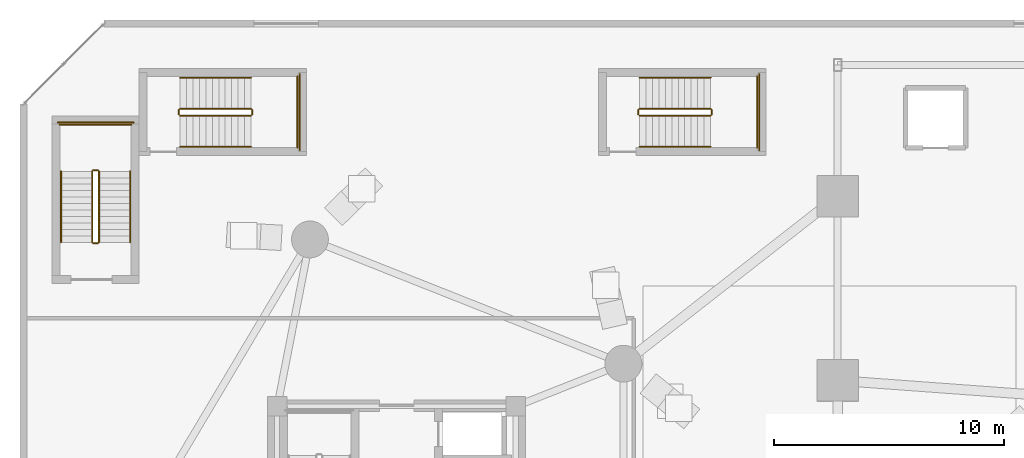
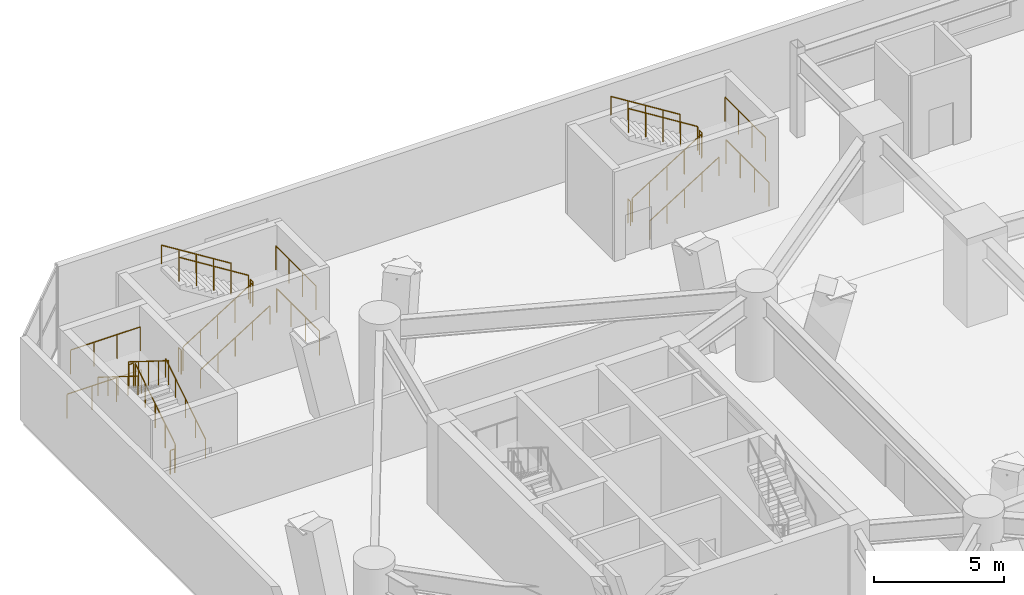
# One storey, part 19 of 20: 24 railings.
"""IFC4 building model written with IfcOpenShell, lengths in metres."""

from ifc_helpers import new_model, si_unit, direction, frame, origin, origin_2d, place, context, subcontext, project, spatial, circle, extrude, material, type_object, element, save


model = new_model("IFC4")

# Units and contexts
model_context = context("Model", 3, precision=1e-05, world=origin(), true_north=direction((0.0, 1.0)))
body_context = subcontext(model_context, "Body", "Model", "MODEL_VIEW")
ifc_project = project(units=[si_unit("LENGTHUNIT", "METRE"), si_unit("AREAUNIT", "SQUARE_METRE"), si_unit("VOLUMEUNIT", "CUBIC_METRE"), si_unit("PLANEANGLEUNIT", "RADIAN"), si_unit("MASSUNIT", "GRAM", prefix="KILO")], contexts=[model_context])

# Site, building, storey
site_placement = place(None, origin())
site = spatial("IfcSite", under=ifc_project, at=site_placement, CompositionType="ELEMENT")
building_placement = place(site_placement, origin())
building = spatial("IfcBuilding", under=site, at=building_placement, Name="Cununo Teusaquillo Station Towers", CompositionType="ELEMENT")
storey_placement = place(building_placement, frame((0.0, 0.0, 9.0)))
storey = spatial("IfcBuildingStorey", under=building, at=storey_placement, Name="L02", CompositionType="ELEMENT", Elevation=9.0)

# Railings
ifc_material_1 = material(Name="Steel EN 10025-2 S355J2", Category="steel")
railing_type_1 = type_object("IfcRailingType", Name="RL-INT-GUARD", PredefinedType="GUARDRAIL", material=ifc_material_1)
railing_1_placement = place(storey_placement, frame((27.050048828125, 44.0, 0.175048828125)))
element("IfcRailing", 1, at=railing_1_placement, inside=storey, type_object=railing_type_1, Name="L02 ST-POD-N stair guard 1", PredefinedType="GUARDRAIL", context=body_context, shape_type="SweptSolid", body=[
    extrude(circle(Radius=0.02392578125, at=origin_2d()), frame((0.0, 0.0, 1.1259765625), z_axis=(0.847979421464, 0.0, 0.530029150871), x_axis=(0.0, 1.0, 0.0)), (0.0, 0.0, 1.0), 3.632080078125),
    extrude(circle(Radius=0.02099609375, at=origin_2d()), origin(), (0.0, 0.0, 1.0), 1.101806640625),
    extrude(circle(Radius=0.02099609375, at=origin_2d()), frame((0.77001953125, 0.0, 0.481201171875)), (0.0, 0.0, 1.0), 1.101806640625),
    extrude(circle(Radius=0.02099609375, at=origin_2d()), frame((1.5400390625, 0.0, 0.96240234375)), (0.0, 0.0, 1.0), 1.101806640625),
    extrude(circle(Radius=0.02099609375, at=origin_2d()), frame((2.309814453125, 0.0, 1.44384765625)), (0.0, 0.0, 1.0), 1.101806640625),
    extrude(circle(Radius=0.02099609375, at=origin_2d()), frame((3.079833984375, 0.0, 1.925048828125)), (0.0, 0.0, 1.0), 1.101806640625),
])
railing_2_placement = place(storey_placement, frame((30.179931640625, 44.050048828125, 2.10009765625)))
element("IfcRailing", 2, at=railing_2_placement, inside=storey, type_object=railing_type_1, Name="L02 ST-POD-N stair guard 2", PredefinedType="GUARDRAIL", context=body_context, shape_type="SweptSolid", body=[
    extrude(circle(Radius=0.02392578125, at=origin_2d()), frame((0.0, 0.0, 1.1259765625), z_axis=(0.0, 1.0, 0.0), x_axis=(-1.0, 0.0, 0.0)), (0.0, 0.0, 1.0), 0.199951171875),
    extrude(circle(Radius=0.02099609375, at=origin_2d()), origin(), (0.0, 0.0, 1.0), 1.101806640625),
    extrude(circle(Radius=0.02099609375, at=origin_2d()), frame((0.0, 0.199951171875, 0.0)), (0.0, 0.0, 1.0), 1.101806640625),
])
railing_3_placement = place(storey_placement, frame((32.14990234375, 42.60009765625, 2.10009765625)))
element("IfcRailing", 3, at=railing_3_placement, inside=storey, type_object=railing_type_1, Name="L02 ST-POD-N stair guard 3", PredefinedType="GUARDRAIL", context=body_context, shape_type="SweptSolid", body=[
    extrude(circle(Radius=0.02392578125, at=origin_2d()), frame((0.0, 0.0, 1.1259765625), z_axis=(0.0, 1.0, 0.0), x_axis=(-1.0, 0.0, 0.0)), (0.0, 0.0, 1.0), 3.099853515625),
    extrude(circle(Radius=0.02099609375, at=origin_2d()), origin(), (0.0, 0.0, 1.0), 1.101806640625),
    extrude(circle(Radius=0.02099609375, at=origin_2d()), frame((0.0, 1.033203125, 0.0)), (0.0, 0.0, 1.0), 1.101806640625),
    extrude(circle(Radius=0.02099609375, at=origin_2d()), frame((0.0, 2.066650390625, 0.0)), (0.0, 0.0, 1.0), 1.101806640625),
    extrude(circle(Radius=0.02099609375, at=origin_2d()), frame((0.0, 3.099853515625, 0.0)), (0.0, 0.0, 1.0), 1.101806640625),
])
railing_4_placement = place(storey_placement, frame((30.1298828125, 44.300048828125, 2.27490234375)))
element("IfcRailing", 4, at=railing_4_placement, inside=storey, type_object=railing_type_1, Name="L02 ST-POD-N stair guard 4", PredefinedType="GUARDRAIL", context=body_context, shape_type="SweptSolid", body=[
    extrude(circle(Radius=0.02392578125, at=origin_2d()), frame((0.0, 0.0, 1.1259765625), z_axis=(-0.847979421464, 0.0, 0.530029150871), x_axis=(0.0, -1.0, 0.0)), (0.0, 0.0, 1.0), 3.632080078125),
    extrude(circle(Radius=0.02099609375, at=origin_2d()), origin(), (0.0, 0.0, 1.0), 1.101806640625),
    extrude(circle(Radius=0.02099609375, at=origin_2d()), frame((-0.77001953125, 0.0, 0.481201171875)), (0.0, 0.0, 1.0), 1.101806640625),
    extrude(circle(Radius=0.02099609375, at=origin_2d()), frame((-1.5400390625, 0.0, 0.96240234375)), (0.0, 0.0, 1.0), 1.101806640625),
    extrude(circle(Radius=0.02099609375, at=origin_2d()), frame((-2.309814453125, 0.0, 1.44384765625)), (0.0, 0.0, 1.0), 1.101806640625),
    extrude(circle(Radius=0.02099609375, at=origin_2d()), frame((-3.079833984375, 0.0, 1.925048828125)), (0.0, 0.0, 1.0), 1.101806640625),
])
railing_5_placement = place(storey_placement, frame((27.0, 44.050048828125, 0.0)))
element("IfcRailing", 5, at=railing_5_placement, inside=storey, type_object=railing_type_1, Name="L02 ST-POD-N stair guard 5", PredefinedType="GUARDRAIL", context=body_context, shape_type="SweptSolid", body=[
    extrude(circle(Radius=0.02392578125, at=origin_2d()), frame((0.0, 0.0, 1.1259765625), z_axis=(0.0, 1.0, 0.0), x_axis=(-1.0, 0.0, 0.0)), (0.0, 0.0, 1.0), 0.199951171875),
    extrude(circle(Radius=0.02099609375, at=origin_2d()), origin(), (0.0, 0.0, 1.0), 1.101806640625),
    extrude(circle(Radius=0.02099609375, at=origin_2d()), frame((0.0, 0.199951171875, 0.0)), (0.0, 0.0, 1.0), 1.101806640625),
])
railing_6_placement = place(storey_placement, frame((32.25, 42.5, 0.0)))
element("IfcRailing", 6, at=railing_6_placement, inside=storey, type_object=railing_type_1, Name="L02 ST-POD-N stair guard 6", PredefinedType="GUARDRAIL", context=body_context, shape_type="SweptSolid", body=[
    extrude(circle(Radius=0.02392578125, at=origin_2d()), frame((0.0, 0.0, 1.1259765625), z_axis=(0.0, 1.0, 0.0), x_axis=(-1.0, 0.0, 0.0)), (0.0, 0.0, 1.0), 3.300048828125),
    extrude(circle(Radius=0.02099609375, at=origin_2d()), origin(), (0.0, 0.0, 1.0), 1.101806640625),
    extrude(circle(Radius=0.02099609375, at=origin_2d()), frame((0.0, 1.10009765625, 0.0)), (0.0, 0.0, 1.0), 1.101806640625),
    extrude(circle(Radius=0.02099609375, at=origin_2d()), frame((0.0, 2.199951171875, 0.0)), (0.0, 0.0, 1.0), 1.101806640625),
    extrude(circle(Radius=0.02099609375, at=origin_2d()), frame((0.0, 3.300048828125, 0.0)), (0.0, 0.0, 1.0), 1.101806640625),
])
railing_7_placement = place(storey_placement, frame((3.580078125, 38.5, 0.175048828125)))
element("IfcRailing", 7, at=railing_7_placement, inside=storey, type_object=railing_type_1, Name="L02 ST-POD-W stair guard 1", PredefinedType="GUARDRAIL", context=body_context, shape_type="SweptSolid", body=[
    extrude(circle(Radius=0.02392578125, at=origin_2d()), frame((0.0, 0.0, 1.1259765625), z_axis=(0.0, 0.847998304005, 0.529998940003), x_axis=(-1.0, 0.0, 0.0)), (0.0, 0.0, 1.0), 3.632080078125),
    extrude(circle(Radius=0.02099609375, at=origin_2d()), origin(), (0.0, 0.0, 1.0), 1.101806640625),
    extrude(circle(Radius=0.02099609375, at=origin_2d()), frame((0.0, 0.77001953125, 0.481201171875)), (0.0, 0.0, 1.0), 1.101806640625),
    extrude(circle(Radius=0.02099609375, at=origin_2d()), frame((0.0, 1.5400390625, 0.96240234375)), (0.0, 0.0, 1.0), 1.101806640625),
    extrude(circle(Radius=0.02099609375, at=origin_2d()), frame((0.0, 2.31005859375, 1.44384765625)), (0.0, 0.0, 1.0), 1.101806640625),
    extrude(circle(Radius=0.02099609375, at=origin_2d()), frame((0.0, 3.080078125, 1.925048828125)), (0.0, 0.0, 1.0), 1.101806640625),
])
railing_8_placement = place(storey_placement, frame((3.530029296875, 41.6298828125, 2.10009765625)))
element("IfcRailing", 8, at=railing_8_placement, inside=storey, type_object=railing_type_1, Name="L02 ST-POD-W stair guard 2", PredefinedType="GUARDRAIL", context=body_context, shape_type="SweptSolid", body=[
    extrude(circle(Radius=0.02392578125, at=origin_2d()), frame((0.0, 0.0, 1.1259765625), z_axis=(-1.0, 0.0, 0.0), x_axis=(0.0, -1.0, 0.0)), (0.0, 0.0, 1.0), 0.199951171875),
    extrude(circle(Radius=0.02099609375, at=origin_2d()), origin(), (0.0, 0.0, 1.0), 1.101806640625),
    extrude(circle(Radius=0.02099609375, at=origin_2d()), frame((-0.199951171875, 0.0, 0.0)), (0.0, 0.0, 1.0), 1.101806640625),
])
railing_9_placement = place(storey_placement, frame((4.97998046875, 43.60009765625, 2.10009765625)))
element("IfcRailing", 9, at=railing_9_placement, inside=storey, type_object=railing_type_1, Name="L02 ST-POD-W stair guard 3", PredefinedType="GUARDRAIL", context=body_context, shape_type="SweptSolid", body=[
    extrude(circle(Radius=0.02392578125, at=origin_2d()), frame((0.0, 0.0, 1.1259765625), z_axis=(-1.0, 0.0, 0.0), x_axis=(0.0, -1.0, 0.0)), (0.0, 0.0, 1.0), 3.10009765625),
    extrude(circle(Radius=0.02099609375, at=origin_2d()), origin(), (0.0, 0.0, 1.0), 1.101806640625),
    extrude(circle(Radius=0.02099609375, at=origin_2d()), frame((-1.033447265625, 0.0, 0.0)), (0.0, 0.0, 1.0), 1.101806640625),
    extrude(circle(Radius=0.02099609375, at=origin_2d()), frame((-2.066650390625, 0.0, 0.0)), (0.0, 0.0, 1.0), 1.101806640625),
    extrude(circle(Radius=0.02099609375, at=origin_2d()), frame((-3.10009765625, 0.0, 0.0)), (0.0, 0.0, 1.0), 1.101806640625),
])
railing_10_placement = place(storey_placement, frame((3.280029296875, 41.580078125, 2.27490234375)))
element("IfcRailing", 10, at=railing_10_placement, inside=storey, type_object=railing_type_1, Name="L02 ST-POD-W stair guard 4", PredefinedType="GUARDRAIL", context=body_context, shape_type="SweptSolid", body=[
    extrude(circle(Radius=0.02392578125, at=origin_2d()), frame((0.0, 0.0, 1.1259765625), z_axis=(0.0, -0.847998304005, 0.529998940003), x_axis=(1.0, 0.0, 0.0)), (0.0, 0.0, 1.0), 3.632080078125),
    extrude(circle(Radius=0.02099609375, at=origin_2d()), origin(), (0.0, 0.0, 1.0), 1.101806640625),
    extrude(circle(Radius=0.02099609375, at=origin_2d()), frame((0.0, -0.77001953125, 0.481201171875)), (0.0, 0.0, 1.0), 1.101806640625),
    extrude(circle(Radius=0.02099609375, at=origin_2d()), frame((0.0, -1.5400390625, 0.96240234375)), (0.0, 0.0, 1.0), 1.101806640625),
    extrude(circle(Radius=0.02099609375, at=origin_2d()), frame((0.0, -2.31005859375, 1.44384765625)), (0.0, 0.0, 1.0), 1.101806640625),
    extrude(circle(Radius=0.02099609375, at=origin_2d()), frame((0.0, -3.080078125, 1.925048828125)), (0.0, 0.0, 1.0), 1.101806640625),
])
railing_11_placement = place(storey_placement, frame((3.530029296875, 38.449951171875, 0.0)))
element("IfcRailing", 11, at=railing_11_placement, inside=storey, type_object=railing_type_1, Name="L02 ST-POD-W stair guard 5", PredefinedType="GUARDRAIL", context=body_context, shape_type="SweptSolid", body=[
    extrude(circle(Radius=0.02392578125, at=origin_2d()), frame((0.0, 0.0, 1.1259765625), z_axis=(-1.0, 0.0, 0.0), x_axis=(0.0, -1.0, 0.0)), (0.0, 0.0, 1.0), 0.199951171875),
    extrude(circle(Radius=0.02099609375, at=origin_2d()), origin(), (0.0, 0.0, 1.0), 1.101806640625),
    extrude(circle(Radius=0.02099609375, at=origin_2d()), frame((-0.199951171875, 0.0, 0.0)), (0.0, 0.0, 1.0), 1.101806640625),
])
railing_12_placement = place(storey_placement, frame((5.080078125, 43.699951171875, 0.0)))
element("IfcRailing", 12, at=railing_12_placement, inside=storey, type_object=railing_type_1, Name="L02 ST-POD-W stair guard 6", PredefinedType="GUARDRAIL", context=body_context, shape_type="SweptSolid", body=[
    extrude(circle(Radius=0.02392578125, at=origin_2d()), frame((0.0, 0.0, 1.1259765625), z_axis=(-1.0, 0.0, 0.0), x_axis=(0.0, -1.0, 0.0)), (0.0, 0.0, 1.0), 3.300048828125),
    extrude(circle(Radius=0.02099609375, at=origin_2d()), origin(), (0.0, 0.0, 1.0), 1.101806640625),
    extrude(circle(Radius=0.02099609375, at=origin_2d()), frame((-1.10009765625, 0.0, 0.0)), (0.0, 0.0, 1.0), 1.101806640625),
    extrude(circle(Radius=0.02099609375, at=origin_2d()), frame((-2.199951171875, 0.0, 0.0)), (0.0, 0.0, 1.0), 1.101806640625),
    extrude(circle(Radius=0.02099609375, at=origin_2d()), frame((-3.300048828125, 0.0, 0.0)), (0.0, 0.0, 1.0), 1.101806640625),
])
railing_13_placement = place(storey_placement, frame((7.10009765625, 44.0, 0.175048828125)))
element("IfcRailing", 13, at=railing_13_placement, inside=storey, type_object=railing_type_1, Name="L02 ST-POD-C stair guard 1", PredefinedType="GUARDRAIL", context=body_context, shape_type="SweptSolid", body=[
    extrude(circle(Radius=0.02392578125, at=origin_2d()), frame((0.0, 0.0, 1.1259765625), z_axis=(0.847979421464, 0.0, 0.530029150871), x_axis=(0.0, 1.0, 0.0)), (0.0, 0.0, 1.0), 3.632080078125),
    extrude(circle(Radius=0.02099609375, at=origin_2d()), origin(), (0.0, 0.0, 1.0), 1.101806640625),
    extrude(circle(Radius=0.02099609375, at=origin_2d()), frame((0.77001953125, 0.0, 0.481201171875)), (0.0, 0.0, 1.0), 1.101806640625),
    extrude(circle(Radius=0.02099609375, at=origin_2d()), frame((1.5400390625, 0.0, 0.96240234375)), (0.0, 0.0, 1.0), 1.101806640625),
    extrude(circle(Radius=0.02099609375, at=origin_2d()), frame((2.309814453125, 0.0, 1.44384765625)), (0.0, 0.0, 1.0), 1.101806640625),
    extrude(circle(Radius=0.02099609375, at=origin_2d()), frame((3.079833984375, 0.0, 1.925048828125)), (0.0, 0.0, 1.0), 1.101806640625),
])
railing_14_placement = place(storey_placement, frame((10.22998046875, 44.050048828125, 2.10009765625)))
element("IfcRailing", 14, at=railing_14_placement, inside=storey, type_object=railing_type_1, Name="L02 ST-POD-C stair guard 2", PredefinedType="GUARDRAIL", context=body_context, shape_type="SweptSolid", body=[
    extrude(circle(Radius=0.02392578125, at=origin_2d()), frame((0.0, 0.0, 1.1259765625), z_axis=(0.0, 1.0, 0.0), x_axis=(-1.0, 0.0, 0.0)), (0.0, 0.0, 1.0), 0.199951171875),
    extrude(circle(Radius=0.02099609375, at=origin_2d()), origin(), (0.0, 0.0, 1.0), 1.101806640625),
    extrude(circle(Radius=0.02099609375, at=origin_2d()), frame((0.0, 0.199951171875, 0.0)), (0.0, 0.0, 1.0), 1.101806640625),
])
railing_15_placement = place(storey_placement, frame((12.199951171875, 42.60009765625, 2.10009765625)))
element("IfcRailing", 15, at=railing_15_placement, inside=storey, type_object=railing_type_1, Name="L02 ST-POD-C stair guard 3", PredefinedType="GUARDRAIL", context=body_context, shape_type="SweptSolid", body=[
    extrude(circle(Radius=0.02392578125, at=origin_2d()), frame((0.0, 0.0, 1.1259765625), z_axis=(0.0, 1.0, 0.0), x_axis=(-1.0, 0.0, 0.0)), (0.0, 0.0, 1.0), 3.099853515625),
    extrude(circle(Radius=0.02099609375, at=origin_2d()), origin(), (0.0, 0.0, 1.0), 1.101806640625),
    extrude(circle(Radius=0.02099609375, at=origin_2d()), frame((0.0, 1.033203125, 0.0)), (0.0, 0.0, 1.0), 1.101806640625),
    extrude(circle(Radius=0.02099609375, at=origin_2d()), frame((0.0, 2.066650390625, 0.0)), (0.0, 0.0, 1.0), 1.101806640625),
    extrude(circle(Radius=0.02099609375, at=origin_2d()), frame((0.0, 3.099853515625, 0.0)), (0.0, 0.0, 1.0), 1.101806640625),
])
railing_16_placement = place(storey_placement, frame((10.179931640625, 44.300048828125, 2.27490234375)))
element("IfcRailing", 16, at=railing_16_placement, inside=storey, type_object=railing_type_1, Name="L02 ST-POD-C stair guard 4", PredefinedType="GUARDRAIL", context=body_context, shape_type="SweptSolid", body=[
    extrude(circle(Radius=0.02392578125, at=origin_2d()), frame((0.0, 0.0, 1.1259765625), z_axis=(-0.847979421464, 0.0, 0.530029150871), x_axis=(0.0, -1.0, 0.0)), (0.0, 0.0, 1.0), 3.632080078125),
    extrude(circle(Radius=0.02099609375, at=origin_2d()), origin(), (0.0, 0.0, 1.0), 1.101806640625),
    extrude(circle(Radius=0.02099609375, at=origin_2d()), frame((-0.77001953125, 0.0, 0.481201171875)), (0.0, 0.0, 1.0), 1.101806640625),
    extrude(circle(Radius=0.02099609375, at=origin_2d()), frame((-1.5400390625, 0.0, 0.96240234375)), (0.0, 0.0, 1.0), 1.101806640625),
    extrude(circle(Radius=0.02099609375, at=origin_2d()), frame((-2.309814453125, 0.0, 1.44384765625)), (0.0, 0.0, 1.0), 1.101806640625),
    extrude(circle(Radius=0.02099609375, at=origin_2d()), frame((-3.079833984375, 0.0, 1.925048828125)), (0.0, 0.0, 1.0), 1.101806640625),
])
railing_17_placement = place(storey_placement, frame((7.050048828125, 44.050048828125, 0.0)))
element("IfcRailing", 17, at=railing_17_placement, inside=storey, type_object=railing_type_1, Name="L02 ST-POD-C stair guard 5", PredefinedType="GUARDRAIL", context=body_context, shape_type="SweptSolid", body=[
    extrude(circle(Radius=0.02392578125, at=origin_2d()), frame((0.0, 0.0, 1.1259765625), z_axis=(0.0, 1.0, 0.0), x_axis=(-1.0, 0.0, 0.0)), (0.0, 0.0, 1.0), 0.199951171875),
    extrude(circle(Radius=0.02099609375, at=origin_2d()), origin(), (0.0, 0.0, 1.0), 1.101806640625),
    extrude(circle(Radius=0.02099609375, at=origin_2d()), frame((0.0, 0.199951171875, 0.0)), (0.0, 0.0, 1.0), 1.101806640625),
])
railing_18_placement = place(storey_placement, frame((12.300048828125, 42.5, 0.0)))
element("IfcRailing", 18, at=railing_18_placement, inside=storey, type_object=railing_type_1, Name="L02 ST-POD-C stair guard 6", PredefinedType="GUARDRAIL", context=body_context, shape_type="SweptSolid", body=[
    extrude(circle(Radius=0.02392578125, at=origin_2d()), frame((0.0, 0.0, 1.1259765625), z_axis=(0.0, 1.0, 0.0), x_axis=(-1.0, 0.0, 0.0)), (0.0, 0.0, 1.0), 3.300048828125),
    extrude(circle(Radius=0.02099609375, at=origin_2d()), origin(), (0.0, 0.0, 1.0), 1.101806640625),
    extrude(circle(Radius=0.02099609375, at=origin_2d()), frame((0.0, 1.10009765625, 0.0)), (0.0, 0.0, 1.0), 1.101806640625),
    extrude(circle(Radius=0.02099609375, at=origin_2d()), frame((0.0, 2.199951171875, 0.0)), (0.0, 0.0, 1.0), 1.101806640625),
    extrude(circle(Radius=0.02099609375, at=origin_2d()), frame((0.0, 3.300048828125, 0.0)), (0.0, 0.0, 1.0), 1.101806640625),
])
ifc_material_2 = material(Name="Steel EN 10025-2 S355J2", Category="steel")
railing_type_2 = type_object("IfcRailingType", Name="RL-INT-HRAIL", PredefinedType="HANDRAIL", material=ifc_material_2)
railing_19_placement = place(storey_placement, frame((27.050048828125, 42.64990234375, 0.175048828125)))
element("IfcRailing", 19, at=railing_19_placement, inside=storey, type_object=railing_type_2, Name="L02 ST-POD-N stair handrail 1", PredefinedType="HANDRAIL", context=body_context, shape_type="SweptSolid", body=[
    extrude(circle(Radius=0.02392578125, at=origin_2d()), frame((0.0, 0.0, 0.8759765625), z_axis=(0.847979421464, 0.0, 0.530029150871), x_axis=(0.0, 1.0, 0.0)), (0.0, 0.0, 1.0), 3.632080078125),
    extrude(circle(Radius=0.02099609375, at=origin_2d()), origin(), (0.0, 0.0, 1.0), 0.851806640625),
    extrude(circle(Radius=0.02099609375, at=origin_2d()), frame((0.77001953125, 0.0, 0.481201171875)), (0.0, 0.0, 1.0), 0.851806640625),
    extrude(circle(Radius=0.02099609375, at=origin_2d()), frame((1.5400390625, 0.0, 0.96240234375)), (0.0, 0.0, 1.0), 0.851806640625),
    extrude(circle(Radius=0.02099609375, at=origin_2d()), frame((2.309814453125, 0.0, 1.44384765625)), (0.0, 0.0, 1.0), 0.851806640625),
    extrude(circle(Radius=0.02099609375, at=origin_2d()), frame((3.079833984375, 0.0, 1.925048828125)), (0.0, 0.0, 1.0), 0.851806640625),
])
railing_20_placement = place(storey_placement, frame((30.1298828125, 45.64990234375, 2.27490234375)))
element("IfcRailing", 20, at=railing_20_placement, inside=storey, type_object=railing_type_2, Name="L02 ST-POD-N stair handrail 2", PredefinedType="HANDRAIL", context=body_context, shape_type="SweptSolid", body=[
    extrude(circle(Radius=0.02392578125, at=origin_2d()), frame((0.0, 0.0, 0.8759765625), z_axis=(-0.847979421464, 0.0, 0.530029150871), x_axis=(0.0, -1.0, 0.0)), (0.0, 0.0, 1.0), 3.632080078125),
    extrude(circle(Radius=0.02099609375, at=origin_2d()), origin(), (0.0, 0.0, 1.0), 0.851806640625),
    extrude(circle(Radius=0.02099609375, at=origin_2d()), frame((-0.77001953125, 0.0, 0.481201171875)), (0.0, 0.0, 1.0), 0.851806640625),
    extrude(circle(Radius=0.02099609375, at=origin_2d()), frame((-1.5400390625, 0.0, 0.96240234375)), (0.0, 0.0, 1.0), 0.851806640625),
    extrude(circle(Radius=0.02099609375, at=origin_2d()), frame((-2.309814453125, 0.0, 1.44384765625)), (0.0, 0.0, 1.0), 0.851806640625),
    extrude(circle(Radius=0.02099609375, at=origin_2d()), frame((-3.079833984375, 0.0, 1.925048828125)), (0.0, 0.0, 1.0), 0.851806640625),
])
railing_21_placement = place(storey_placement, frame((4.929931640625, 38.5, 0.175048828125)))
element("IfcRailing", 21, at=railing_21_placement, inside=storey, type_object=railing_type_2, Name="L02 ST-POD-W stair handrail 1", PredefinedType="HANDRAIL", context=body_context, shape_type="SweptSolid", body=[
    extrude(circle(Radius=0.02392578125, at=origin_2d()), frame((0.0, 0.0, 0.8759765625), z_axis=(0.0, 0.847998304005, 0.529998940003), x_axis=(-1.0, 0.0, 0.0)), (0.0, 0.0, 1.0), 3.632080078125),
    extrude(circle(Radius=0.02099609375, at=origin_2d()), origin(), (0.0, 0.0, 1.0), 0.851806640625),
    extrude(circle(Radius=0.02099609375, at=origin_2d()), frame((0.0, 0.77001953125, 0.481201171875)), (0.0, 0.0, 1.0), 0.851806640625),
    extrude(circle(Radius=0.02099609375, at=origin_2d()), frame((0.0, 1.5400390625, 0.96240234375)), (0.0, 0.0, 1.0), 0.851806640625),
    extrude(circle(Radius=0.02099609375, at=origin_2d()), frame((0.0, 2.31005859375, 1.44384765625)), (0.0, 0.0, 1.0), 0.851806640625),
    extrude(circle(Radius=0.02099609375, at=origin_2d()), frame((0.0, 3.080078125, 1.925048828125)), (0.0, 0.0, 1.0), 0.851806640625),
])
railing_22_placement = place(storey_placement, frame((1.929931640625, 41.580078125, 2.27490234375)))
element("IfcRailing", 22, at=railing_22_placement, inside=storey, type_object=railing_type_2, Name="L02 ST-POD-W stair handrail 2", PredefinedType="HANDRAIL", context=body_context, shape_type="SweptSolid", body=[
    extrude(circle(Radius=0.02392578125, at=origin_2d()), frame((0.0, 0.0, 0.8759765625), z_axis=(0.0, -0.847998304005, 0.529998940003), x_axis=(1.0, 0.0, 0.0)), (0.0, 0.0, 1.0), 3.632080078125),
    extrude(circle(Radius=0.02099609375, at=origin_2d()), origin(), (0.0, 0.0, 1.0), 0.851806640625),
    extrude(circle(Radius=0.02099609375, at=origin_2d()), frame((0.0, -0.77001953125, 0.481201171875)), (0.0, 0.0, 1.0), 0.851806640625),
    extrude(circle(Radius=0.02099609375, at=origin_2d()), frame((0.0, -1.5400390625, 0.96240234375)), (0.0, 0.0, 1.0), 0.851806640625),
    extrude(circle(Radius=0.02099609375, at=origin_2d()), frame((0.0, -2.31005859375, 1.44384765625)), (0.0, 0.0, 1.0), 0.851806640625),
    extrude(circle(Radius=0.02099609375, at=origin_2d()), frame((0.0, -3.080078125, 1.925048828125)), (0.0, 0.0, 1.0), 0.851806640625),
])
railing_23_placement = place(storey_placement, frame((7.10009765625, 42.64990234375, 0.175048828125)))
element("IfcRailing", 23, at=railing_23_placement, inside=storey, type_object=railing_type_2, Name="L02 ST-POD-C stair handrail 1", PredefinedType="HANDRAIL", context=body_context, shape_type="SweptSolid", body=[
    extrude(circle(Radius=0.02392578125, at=origin_2d()), frame((0.0, 0.0, 0.8759765625), z_axis=(0.847979421464, 0.0, 0.530029150871), x_axis=(0.0, 1.0, 0.0)), (0.0, 0.0, 1.0), 3.632080078125),
    extrude(circle(Radius=0.02099609375, at=origin_2d()), origin(), (0.0, 0.0, 1.0), 0.851806640625),
    extrude(circle(Radius=0.02099609375, at=origin_2d()), frame((0.77001953125, 0.0, 0.481201171875)), (0.0, 0.0, 1.0), 0.851806640625),
    extrude(circle(Radius=0.02099609375, at=origin_2d()), frame((1.5400390625, 0.0, 0.96240234375)), (0.0, 0.0, 1.0), 0.851806640625),
    extrude(circle(Radius=0.02099609375, at=origin_2d()), frame((2.309814453125, 0.0, 1.44384765625)), (0.0, 0.0, 1.0), 0.851806640625),
    extrude(circle(Radius=0.02099609375, at=origin_2d()), frame((3.079833984375, 0.0, 1.925048828125)), (0.0, 0.0, 1.0), 0.851806640625),
])
railing_24_placement = place(storey_placement, frame((10.179931640625, 45.64990234375, 2.27490234375)))
element("IfcRailing", 24, at=railing_24_placement, inside=storey, type_object=railing_type_2, Name="L02 ST-POD-C stair handrail 2", PredefinedType="HANDRAIL", context=body_context, shape_type="SweptSolid", body=[
    extrude(circle(Radius=0.02392578125, at=origin_2d()), frame((0.0, 0.0, 0.8759765625), z_axis=(-0.847979421464, 0.0, 0.530029150871), x_axis=(0.0, -1.0, 0.0)), (0.0, 0.0, 1.0), 3.632080078125),
    extrude(circle(Radius=0.02099609375, at=origin_2d()), origin(), (0.0, 0.0, 1.0), 0.851806640625),
    extrude(circle(Radius=0.02099609375, at=origin_2d()), frame((-0.77001953125, 0.0, 0.481201171875)), (0.0, 0.0, 1.0), 0.851806640625),
    extrude(circle(Radius=0.02099609375, at=origin_2d()), frame((-1.5400390625, 0.0, 0.96240234375)), (0.0, 0.0, 1.0), 0.851806640625),
    extrude(circle(Radius=0.02099609375, at=origin_2d()), frame((-2.309814453125, 0.0, 1.44384765625)), (0.0, 0.0, 1.0), 0.851806640625),
    extrude(circle(Radius=0.02099609375, at=origin_2d()), frame((-3.079833984375, 0.0, 1.925048828125)), (0.0, 0.0, 1.0), 0.851806640625),
])

save(model, "model.ifc")
